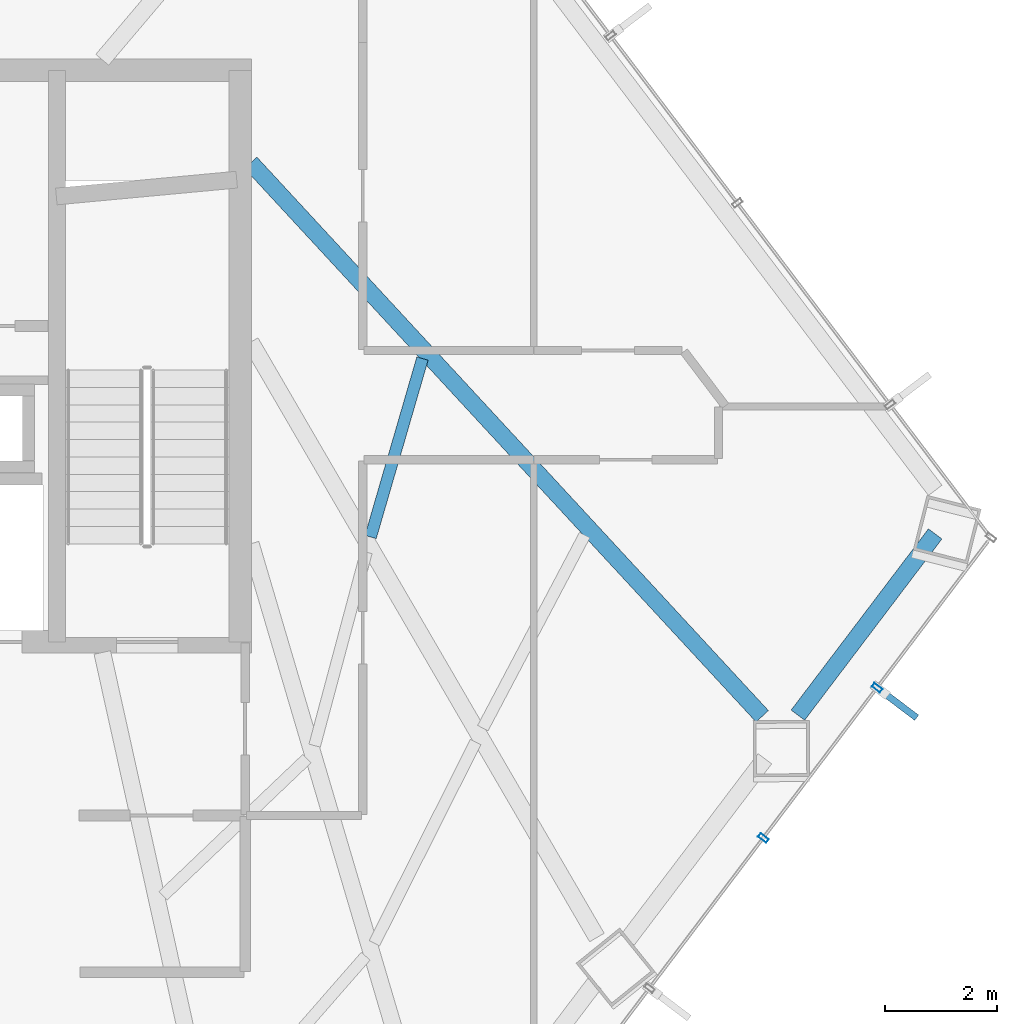
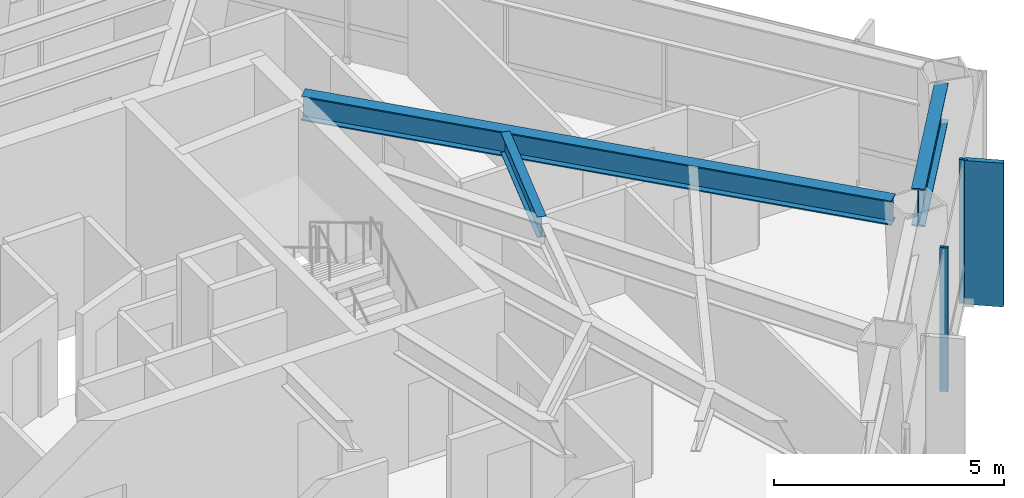
# One storey, part 20 of 27: 3 beams, 3 members, 1 element without a shape of its own.
"""IFC4 building model written with IfcOpenShell, lengths in metres."""

from ifc_helpers import new_model, si_unit, direction, frame, origin, origin_2d, place, context, subcontext, project, spatial, rectangle, hollow_rectangle, i_section, extrude, material, layer, layer_set, material_profile, profile_set, type_object, element, aggregate, save


model = new_model("IFC4")

# Units and contexts
model_context = context("Model", 3, precision=1e-05, world=origin(), true_north=direction((0.0, 1.0)))
body_context = subcontext(model_context, "Body", "Model", "MODEL_VIEW")
ifc_project = project(units=[si_unit("LENGTHUNIT", "METRE"), si_unit("AREAUNIT", "SQUARE_METRE"), si_unit("VOLUMEUNIT", "CUBIC_METRE"), si_unit("PLANEANGLEUNIT", "RADIAN"), si_unit("MASSUNIT", "GRAM", prefix="KILO")], contexts=[model_context])

# Site, building, storey
site_placement = place(None, origin())
site = spatial("IfcSite", under=ifc_project, at=site_placement, CompositionType="ELEMENT")
building_placement = place(site_placement, origin())
building = spatial("IfcBuilding", under=site, at=building_placement, Name="Zarrinselat Tower", CompositionType="ELEMENT")
storey_placement = place(building_placement, frame((0.0, 0.0, 47.93994140625)))
storey = spatial("IfcBuildingStorey", under=building, at=storey_placement, Name="L11", CompositionType="ELEMENT", Elevation=47.93994140625)

# Beams
ifc_material_1 = material(Name="Steel S355J2", Category="steel")
ifc_material_profile_1 = material_profile(ifc_material_1, i_section(OverallWidth=0.300048828125, OverallDepth=0.64990234375, WebThickness=0.01611328125, FlangeThickness=0.031005859375, at=origin_2d()), Name="HEB 650")
ifc_profile_set_1 = profile_set([ifc_material_profile_1], Name="Steel S355J2")
beam_type_1 = type_object("IfcBeamType", Name="BM-HEB650", PredefinedType="BEAM", material=ifc_profile_set_1)
beam_1_placement = place(storey_placement, frame((48.449951171875, 41.800048828125, 3.4951171875), z_axis=(0.678746558016, -0.734372596154, 0.0), x_axis=(0.734372596154, 0.678746558016, 0.0)))
element("IfcBeam", 1, at=beam_1_placement, inside=storey, type_object=beam_type_1, Name="L11 Radial Primary Girder RG14", PredefinedType="BEAM", context=body_context, shape_type="SweptSolid", body=[
    extrude(i_section(OverallWidth=0.300048828125, OverallDepth=0.64990234375, WebThickness=0.01611328125, FlangeThickness=0.031005859375, at=origin_2d()), origin(), (0.0, 0.0, 1.0), 13.4521484375),
])
ifc_material_2 = material(Name="Steel S460M", Category="steel")
ifc_material_profile_2 = material_profile(ifc_material_2, i_section(OverallWidth=0.302001953125, OverallDepth=1.008056640625, WebThickness=0.02099609375, FlangeThickness=0.0400390625, at=origin_2d()), Name="HEM 1000")
ifc_profile_set_2 = profile_set([ifc_material_profile_2], Name="Steel S460M")
beam_type_2 = type_object("IfcBeamType", Name="BM-HEM1000", PredefinedType="BEAM", material=ifc_profile_set_2)
beam_2_placement = place(storey_placement, frame((58.216064453125, 31.94140625, 3.316162109375), z_axis=(0.603851898096, 0.797096534409, 0.0), x_axis=(-0.797096534409, 0.603851898096, 0.0)))
element("IfcBeam", 2, at=beam_2_placement, inside=storey, type_object=beam_type_2, Name="L11 Perimeter Spandrel Girder SP14", PredefinedType="BEAM", context=body_context, shape_type="SweptSolid", body=[
    extrude(i_section(OverallWidth=0.302001953125, OverallDepth=1.008056640625, WebThickness=0.02099609375, FlangeThickness=0.0400390625, at=origin_2d()), origin(), (0.0, 0.0, 1.0), 4.059326171875),
])
ifc_material_3 = material(Name="Steel S355J2", Category="steel")
ifc_material_profile_3 = material_profile(ifc_material_3, i_section(OverallWidth=0.2099609375, OverallDepth=0.550048828125, WebThickness=0.010986328125, FlangeThickness=0.01708984375, at=origin_2d()), Name="IPE 550")
ifc_profile_set_3 = profile_set([ifc_material_profile_3], Name="Steel S355J2")
beam_type_3 = type_object("IfcBeamType", Name="BM-IPE550", PredefinedType="JOIST", material=ifc_profile_set_3)
beam_3_placement = place(storey_placement, frame((50.589599609375, 35.12109375, 3.545166015625), z_axis=(0.279072923461, 0.960269911739, 0.0), x_axis=(-0.960269911739, 0.279072923461, 0.0)))
element("IfcBeam", 3, at=beam_3_placement, inside=storey, type_object=beam_type_3, Name="L11 Composite Floor Joist 5-2", PredefinedType="JOIST", context=body_context, shape_type="SweptSolid", body=[
    extrude(i_section(OverallWidth=0.2099609375, OverallDepth=0.550048828125, WebThickness=0.010986328125, FlangeThickness=0.01708984375, at=origin_2d()), origin(), (0.0, 0.0, 1.0), 3.3173828125),
])

# Curtain wall, members
ifc_material_4 = material(Name="Extruded Aluminium Alloy EN AW-6063 T6", Category="aluminium")
ifc_layer = layer(ifc_material_4, 0.18505859375)
ifc_layer_set = layer_set([ifc_layer], Name="Extruded Aluminium Alloy EN AW-6063 T6")
curtain_wall_type = type_object("IfcCurtainWallType", Name="CWS-OFF", PredefinedType="NOTDEFINED", material=ifc_layer_set)
curtain_wall_placement = place(storey_placement, origin())
curtain_wall = element("IfcCurtainWall", 4, at=curtain_wall_placement, inside=storey, type_object=curtain_wall_type, Name="L11 Unitised Curtain Wall CW-L11-E05", PredefinedType="NOTDEFINED")
ifc_material_5 = material(Name="Extruded Aluminium Alloy EN AW-6063 T6", Category="aluminium")
ifc_material_profile_4 = material_profile(ifc_material_5, hollow_rectangle(XDim=0.080078125, YDim=0.179931640625, WallThickness=0.0048828125, at=origin_2d()), Name="RHS 180x80x5")
ifc_profile_set_4 = profile_set([ifc_material_profile_4], Name="Extruded Aluminium Alloy EN AW-6063 T6")
member_type_1 = type_object("IfcMemberType", Name="MEM-CW-MUL", PredefinedType="MULLION", material=ifc_profile_set_4)
member_1_placement = place(storey_placement, frame((57.599853515625, 29.748291015625, 0.0), z_axis=(0.0, 0.0, 1.0), x_axis=(0.603859118859, 0.797091064164, 0.0)))
member_1 = element("IfcMember", 5, at=member_1_placement, type_object=member_type_1, Name="CW-L11-E05 Mullion 4", PredefinedType="MULLION", context=body_context, shape_type="SweptSolid", body=[
    extrude(hollow_rectangle(XDim=0.080078125, YDim=0.179931640625, WallThickness=0.0048828125, at=origin_2d()), origin(), (0.0, 0.0, 1.0), 3.820068359375),
])
member_2_placement = place(storey_placement, frame((59.63134765625, 32.4296875, 0.0), z_axis=(0.0, 0.0, 1.0), x_axis=(0.603859118859, 0.797091064164, 0.0)))
member_2 = element("IfcMember", 6, at=member_2_placement, type_object=member_type_1, Name="CW-L11-E05 Mullion 5", PredefinedType="MULLION", context=body_context, shape_type="SweptSolid", body=[
    extrude(hollow_rectangle(XDim=0.080078125, YDim=0.179931640625, WallThickness=0.0048828125, at=origin_2d()), origin(), (0.0, 0.0, 1.0), 3.820068359375),
])
ifc_material_6 = material(Name="Honed Cream Travertine Stone", Category="masonry")
ifc_material_profile_5 = material_profile(ifc_material_6, rectangle(XDim=0.1201171875, YDim=0.85009765625, at=origin_2d()), Name="FIN 850x120")
ifc_profile_set_5 = profile_set([ifc_material_profile_5], Name="Honed Cream Travertine Stone")
member_type_2 = type_object("IfcMemberType", Name="MEM-STONE-FIN", PredefinedType="USERDEFINED", material=ifc_profile_set_5)
member_3_placement = place(storey_placement, frame((59.998046875, 32.15185546875, 0.0), z_axis=(0.0, 0.0, 1.0), x_axis=(-0.603859118859, -0.797091064164, 0.0)))
member_3 = element("IfcMember", 7, at=member_3_placement, type_object=member_type_2, Name="L11 Stone Shading Fin CW-L11-E05-05", ObjectType="FIN", PredefinedType="USERDEFINED", context=body_context, shape_type="SweptSolid", body=[
    extrude(rectangle(XDim=0.1201171875, YDim=0.85009765625, at=origin_2d()), origin(), (0.0, 0.0, 1.0), 3.820068359375),
])
aggregate(curtain_wall, [member_1, member_2, member_3])

save(model, "model.ifc")
